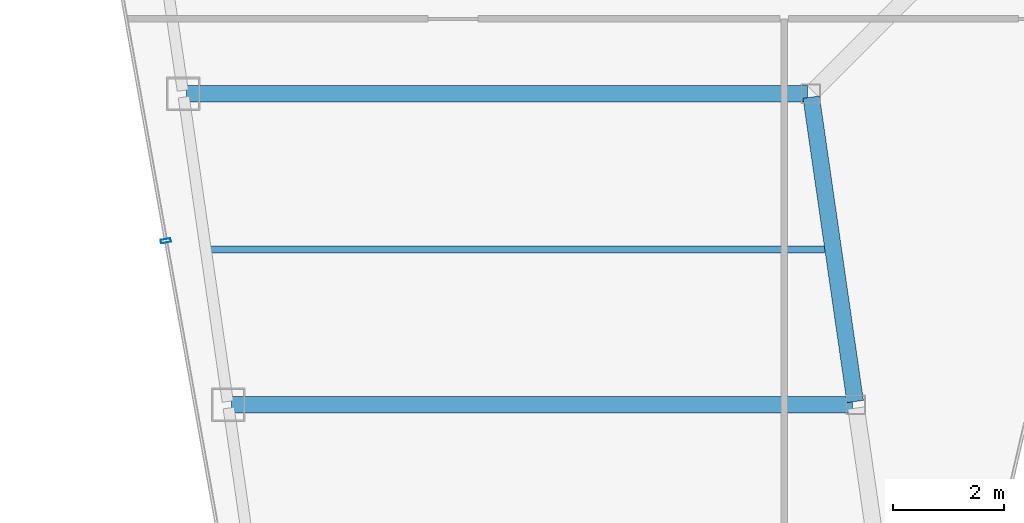
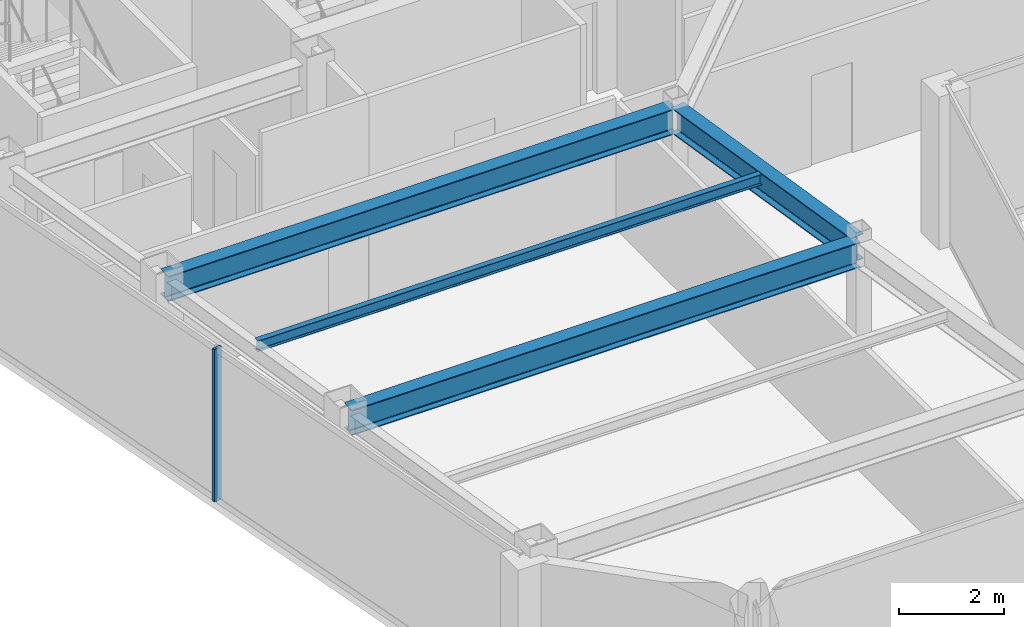
# One storey, part 5 of 32: 4 beams, 1 member, 1 element without a shape of its own.
"""IFC4 building model written with IfcOpenShell, lengths in metres."""

from ifc_helpers import new_model, si_unit, direction, frame, origin, origin_2d, place, context, subcontext, project, spatial, hollow_rectangle, i_section, extrude, material, material_profile, profile_set, type_object, element, aggregate, save


model = new_model("IFC4")

# Units and contexts
model_context = context("Model", 3, precision=1e-05, world=origin(), true_north=direction((0.0, 1.0)))
body_context = subcontext(model_context, "Body", "Model", "MODEL_VIEW")
ifc_project = project(units=[si_unit("LENGTHUNIT", "METRE"), si_unit("AREAUNIT", "SQUARE_METRE"), si_unit("VOLUMEUNIT", "CUBIC_METRE"), si_unit("PLANEANGLEUNIT", "RADIAN"), si_unit("MASSUNIT", "GRAM", prefix="KILO")], contexts=[model_context])

# Site, building, storey
site_placement = place(None, origin())
site = spatial("IfcSite", under=ifc_project, at=site_placement, CompositionType="ELEMENT")
building_placement = place(site_placement, origin())
building = spatial("IfcBuilding", under=site, at=building_placement, Name="Saevonmaru Cultural Tower", CompositionType="ELEMENT")
storey_placement = place(building_placement, frame((0.0, 0.0, 268.60009765625)))
storey = spatial("IfcBuildingStorey", under=building, at=storey_placement, Name="L63", CompositionType="ELEMENT", Elevation=268.60009765625)

# Beams
ifc_material_1 = material(Name="Steel SM355", Category="steel")
ifc_material_profile_1 = material_profile(ifc_material_1, i_section(OverallWidth=0.300048828125, OverallDepth=0.587890625, WebThickness=0.011962890625, FlangeThickness=0.02001953125, FilletRadius=0.02392578125, at=origin_2d()), Name="H-588x300x12x20")
ifc_profile_set_1 = profile_set([ifc_material_profile_1], Name="Steel SM355")
beam_type_1 = type_object("IfcBeamType", Name="BM-G-H588", PredefinedType="BEAM", material=ifc_profile_set_1)
beam_1_placement = place(storey_placement, frame((19.6083984375, 32.059326171875, 3.255859375), z_axis=(-0.142964121327, 0.989727871697, 0.0), x_axis=(-0.989727871697, -0.142964121327, 0.0)))
element("IfcBeam", 1, at=beam_1_placement, inside=storey, type_object=beam_type_1, Name="L63 West Atrium Girder 2", PredefinedType="BEAM", context=body_context, shape_type="SweptSolid", body=[
    extrude(i_section(OverallWidth=0.300048828125, OverallDepth=0.587890625, WebThickness=0.011962890625, FlangeThickness=0.02001953125, FilletRadius=0.02392578125, at=origin_2d()), origin(), (0.0, 0.0, 1.0), 5.5380859375),
])
for number, where, z_axis, x_axis, name in (
    (2, (8.376953125, 32.0, 3.255859375), (1.0, 0.0, 0.0), (0.0, 1.0, 0.0), "L63 West Wing Transverse Girder 2"),
    (3, (7.568115234375, 37.60009765625, 3.255859375), (1.0, 0.0, 0.0), (0.0, 1.0, 0.0), "L63 West Wing Transverse Girder 3"),
):
    element("IfcBeam", number, at=place(storey_placement, frame(where, z_axis=z_axis, x_axis=x_axis)), inside=storey, type_object=beam_type_1, Name=name, PredefinedType="BEAM", context=body_context, shape_type="SweptSolid", body=[
        extrude(i_section(OverallWidth=0.300048828125, OverallDepth=0.587890625, WebThickness=0.011962890625, FlangeThickness=0.02001953125, FilletRadius=0.02392578125, at=origin_2d()), origin(), (0.0, 0.0, 1.0), 11.179931640625),
    ])
ifc_material_profile_2 = material_profile(ifc_material_1, i_section(OverallWidth=0.125, OverallDepth=0.25, WebThickness=0.006103515625, FlangeThickness=0.009033203125, FilletRadius=0.008056640625, at=origin_2d()), Name="H-250x125x6x9")
ifc_profile_set_2 = profile_set([ifc_material_profile_2], Name="Steel SM355")
beam_type_2 = type_object("IfcBeamType", Name="BM-J-H250", PredefinedType="JOIST", material=ifc_profile_set_2)
beam_2_placement = place(storey_placement, frame((7.972412109375, 34.800048828125, 3.4248046875), z_axis=(1.0, 0.0, 0.0), x_axis=(0.0, 1.0, 0.0)))
element("IfcBeam", 4, at=beam_2_placement, inside=storey, type_object=beam_type_2, Name="L63 West Wing Floor Joist 2", PredefinedType="JOIST", context=body_context, shape_type="SweptSolid", body=[
    extrude(i_section(OverallWidth=0.125, OverallDepth=0.25, WebThickness=0.006103515625, FlangeThickness=0.009033203125, FilletRadius=0.008056640625, at=origin_2d()), origin(), (0.0, 0.0, 1.0), 11.08203125),
])

# Curtain wall, member
ifc_material_2 = material(Name="Satin Bronze Anodised Aluminium", Category="aluminium")
curtain_wall_type = type_object("IfcCurtainWallType", Name="CW-TYP-B", PredefinedType="NOTDEFINED", material=ifc_material_2)
curtain_wall_placement = place(storey_placement, origin())
curtain_wall = element("IfcCurtainWall", 5, at=curtain_wall_placement, inside=storey, type_object=curtain_wall_type, Name="L63 Unitised Curtain Wall E12", PredefinedType="NOTDEFINED")
ifc_material_profile_3 = material_profile(ifc_material_2, hollow_rectangle(XDim=0.06494140625, YDim=0.179931640625, WallThickness=0.00390625, at=origin_2d()), Name="ALU-MULL-180x65x4")
ifc_profile_set_3 = profile_set([ifc_material_profile_3], Name="Satin Bronze Anodised Aluminium")
member_type = type_object("IfcMemberType", Name="ML-CW-180x65", PredefinedType="MULLION", material=ifc_profile_set_3)
member_placement = place(storey_placement, frame((7.193603515625, 34.953125, 0.0), z_axis=(0.0, 0.0, 1.0), x_axis=(0.176140740755, -0.984364993001, 0.0)))
member = element("IfcMember", 6, at=member_placement, type_object=member_type, Name="CW-TW-L63-E12 mullion 3", PredefinedType="MULLION", context=body_context, shape_type="SweptSolid", body=[
    extrude(hollow_rectangle(XDim=0.06494140625, YDim=0.179931640625, WallThickness=0.00390625, at=origin_2d()), origin(), (0.0, 0.0, 1.0), 3.5498046875),
])
aggregate(curtain_wall, [member])

save(model, "model.ifc")
